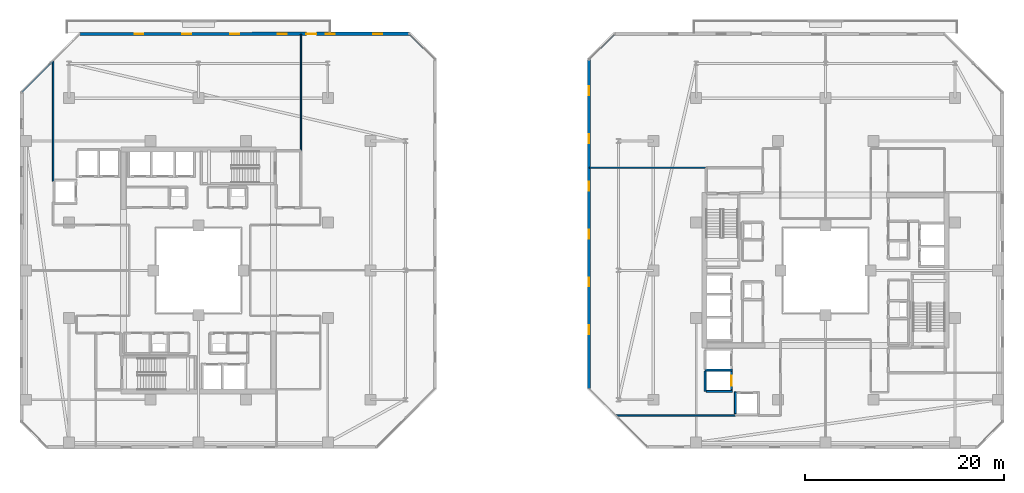
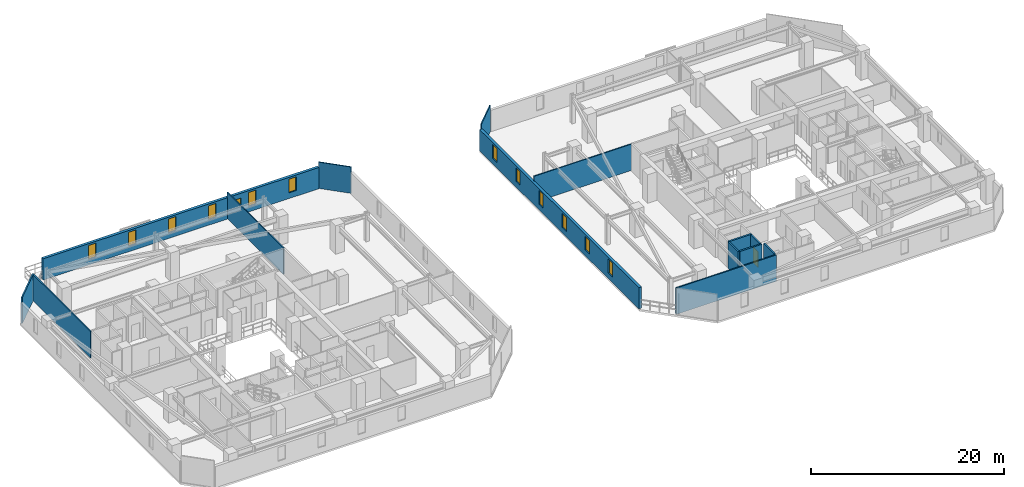
# One storey, part 22 of 32: 14 walls, 12 windows, 2 doors, 14 openings.
"""IFC4 building model written with IfcOpenShell, lengths in metres."""

from ifc_helpers import new_model, si_unit, direction, frame, frame_2d, origin, place, context, subcontext, project, spatial, rectangle, extrude, material, layer, layer_set, type_object, element, fill, save


model = new_model("IFC4")

# Units and contexts
model_context = context("Model", 3, precision=1e-05, world=origin(), true_north=direction((0.0, 1.0)))
body_context = subcontext(model_context, "Body", "Model", "MODEL_VIEW")
ifc_project = project(units=[si_unit("LENGTHUNIT", "METRE"), si_unit("AREAUNIT", "SQUARE_METRE"), si_unit("VOLUMEUNIT", "CUBIC_METRE"), si_unit("PLANEANGLEUNIT", "RADIAN"), si_unit("MASSUNIT", "GRAM", prefix="KILO")], contexts=[model_context])

# Site, building, storey
site_placement = place(None, origin())
site = spatial("IfcSite", under=ifc_project, at=site_placement, CompositionType="ELEMENT")
building_placement = place(site_placement, origin())
building = spatial("IfcBuilding", under=site, at=building_placement, Name="Thornwick Lancets Civic Towers", CompositionType="ELEMENT")
storey_placement = place(building_placement, frame((0.0, 0.0, 178.5)))
storey = spatial("IfcBuildingStorey", under=building, at=storey_placement, Name="L47", CompositionType="ELEMENT", Elevation=178.5)

# Wall, opening, door
ifc_material_1 = material(Name="Concrete blockwork C40/50", Category="masonry")
ifc_layer_1 = layer(ifc_material_1, 0.199951171875, Name="Concrete blockwork C40/50")
ifc_layer_set_1 = layer_set([ifc_layer_1], Name="Concrete blockwork C40/50")
wall_type_1 = type_object("IfcWallType", Name="WALL_COMP_200", PredefinedType="STANDARD", material=ifc_layer_set_1)
wall_1_placement = place(storey_placement, frame((79.050048828125, 15.030029296875, 0.0), z_axis=(0.0, 0.0, 1.0), x_axis=(0.0, 1.0, 0.0)))
wall_1 = element("IfcWall", 1, at=wall_1_placement, inside=storey, type_object=wall_type_1, Name="L47 Hoistway Front Wall PL-BM2", PredefinedType="STANDARD", context=body_context, shape_type="SweptSolid", body=[
    extrude(rectangle(XDim=1.7900390625, YDim=0.199951171875, at=frame_2d((0.89501953125, 0.0))), origin(), (0.0, 0.0, 1.0), 3.340087890625),
])
opening_1_placement = place(wall_1_placement, frame((0.385009765625, 0.0, 0.0)))
opening_1 = element("IfcOpeningElement", 2, at=opening_1_placement, cuts=wall_1, Name="Opening LD-PL-BM2", PredefinedType="OPENING", context=body_context, shape_type="SweptSolid", body=[
    extrude(rectangle(XDim=1.02001953125, YDim=2.06005859375, at=frame_2d((0.510009765625, 1.030029296875))), frame((0.0, 0.10986328125, 0.0), z_axis=(0.0, -1.0, 0.0), x_axis=(1.0, 0.0, 0.0)), (0.0, 0.0, 1.0), 0.219970703125),
])
ifc_material_2 = material(Name="Brushed bronze stainless steel", Category="steel")
door_type_1 = type_object("IfcDoorType", Name="DOOR_LIFT_SLIDE", OperationType="SLIDING_TO_LEFT", PredefinedType="DOOR", material=ifc_material_2)
door_1_placement = place(opening_1_placement, origin())
door_1 = element("IfcDoor", 3, at=door_1_placement, inside=storey, type_object=door_type_1, Name="L47 Sliding Lift Landing Door LD-PL-BM2", OperationType="SLIDING_TO_LEFT", OverallHeight=2.06005859375, OverallWidth=1.02001953125, PredefinedType="DOOR", context=body_context, shape_type="SweptSolid", body=[
    extrude(rectangle(XDim=1.02001953125, YDim=2.06005859375, at=frame_2d((0.510009765625, 1.030029296875))), frame((0.0, 0.02490234375, 0.0), z_axis=(0.0, -1.0, 0.0), x_axis=(1.0, 0.0, 0.0)), (0.0, 0.0, 1.0), 0.050048828125),
])
fill(opening_1, door_1)

# Walls
wall_2_placement = place(storey_placement, frame((76.402099609375, 16.97509765625, 0.0), z_axis=(0.0, 0.0, 1.0), x_axis=(1.0, 0.0, 0.0)))
element("IfcWall", 4, at=wall_2_placement, inside=storey, type_object=wall_type_1, Name="L47 Hoistway Shaft Wall PL-BM1 S", PredefinedType="STANDARD", context=body_context, shape_type="SweptSolid", body=[
    extrude(rectangle(XDim=2.745849609375, YDim=0.199951171875, at=frame_2d((1.373046875, 0.0))), origin(), (0.0, 0.0, 1.0), 3.340087890625),
])
wall_3_placement = place(storey_placement, frame((76.39990234375, 14.85205078125, 0.0), z_axis=(0.0, 0.0, 1.0), x_axis=(0.0, 1.0, 0.0)))
element("IfcWall", 5, at=wall_3_placement, inside=storey, type_object=wall_type_1, Name="L47 Hoistway Shaft Wall PL-BM1 W", PredefinedType="STANDARD", context=body_context, shape_type="SweptSolid", body=[
    extrude(rectangle(XDim=2.015869140625, YDim=0.199951171875, at=frame_2d((1.0078125, 0.0))), origin(), (0.0, 0.0, 1.0), 3.340087890625),
])
wall_4_placement = place(storey_placement, frame((76.511962890625, 14.85009765625, 0.0), z_axis=(0.0, 0.0, 1.0), x_axis=(1.0, 0.0, 0.0)))
element("IfcWall", 6, at=wall_4_placement, inside=storey, type_object=wall_type_1, Name="L47 Hoistway Shaft Wall PL-BM2 S", PredefinedType="STANDARD", context=body_context, shape_type="SweptSolid", body=[
    extrude(rectangle(XDim=2.635986328125, YDim=0.199951171875, at=frame_2d((1.31787109375, 0.0))), origin(), (0.0, 0.0, 1.0), 3.340087890625),
])
wall_5_placement = place(storey_placement, frame((79.449951171875, 12.612060546875, 0.0), z_axis=(0.0, 0.0, 1.0), x_axis=(0.0, 1.0, 0.0)))
element("IfcWall", 7, at=wall_5_placement, inside=storey, type_object=wall_type_1, Name="L47 Hoistway Shaft Wall PL-BM3 W", PredefinedType="STANDARD", context=body_context, shape_type="SweptSolid", body=[
    extrude(rectangle(XDim=2.18603515625, YDim=0.199951171875, at=frame_2d((1.093017578125, 0.0))), origin(), (0.0, 0.0, 1.0), 3.340087890625),
])

# Wall, openings, door, windows
ifc_material_3 = material(Name="Insulated buff terracotta rainscreen on concrete C40/50", Category="masonry")
ifc_layer_2 = layer(ifc_material_3, 0.320068359375, Name="Insulated buff terracotta rainscreen on concrete C40/50")
ifc_layer_set_2 = layer_set([ifc_layer_2], Name="Insulated buff terracotta rainscreen on concrete C40/50")
wall_type_2 = type_object("IfcWallType", Name="WALL_EXT_TERRA_320", PredefinedType="STANDARD", material=ifc_layer_set_2)
wall_6_placement = place(storey_placement, frame((46.681396484375, 50.7646484375, 0.0), z_axis=(0.0, 0.0, 1.0), x_axis=(-0.999999944762, -0.000332378036, 0.0)))
wall_6 = element("IfcWall", 8, at=wall_6_placement, inside=storey, type_object=wall_type_2, Name="L47 Tower A Terracotta Facade Wall E4", PredefinedType="STANDARD", context=body_context, shape_type="SweptSolid", body=[
    extrude(rectangle(XDim=33.0537109375, YDim=0.320068359375, at=frame_2d((16.52685546875, 0.0))), origin(), (0.0, 0.0, 1.0), 2.699951171875),
])
opening_2_placement = place(wall_6_placement, frame((9.326904296875, 0.0, 0.0)))
opening_2 = element("IfcOpeningElement", 9, at=opening_2_placement, cuts=wall_6, Name="Opening D-BL-L47-AN", PredefinedType="OPENING", context=body_context, shape_type="SweptSolid", body=[
    extrude(rectangle(XDim=1.0, YDim=2.080078125, at=frame_2d((0.5, 1.0400390625))), frame((0.0, 0.169921875, 0.0), z_axis=(0.0, -1.0, 0.0), x_axis=(1.0, 0.0, 0.0)), (0.0, 0.0, 1.0), 0.340087890625),
])
opening_3_placement = place(wall_6_placement, frame((2.699951171875, 0.0, 0.719970703125)))
opening_3 = element("IfcOpeningElement", 10, at=opening_3_placement, cuts=wall_6, Name="Opening WL-01", PredefinedType="OPENING", context=body_context, shape_type="SweptSolid", body=[
    extrude(rectangle(XDim=0.89990234375, YDim=1.75, at=frame_2d((0.449951171875, 0.875))), frame((0.0, 0.169921875, 0.0), z_axis=(0.0, -1.0, 0.0), x_axis=(1.0, 0.0, 0.0)), (0.0, 0.0, 1.0), 0.340087890625),
])
opening_4_placement = place(wall_6_placement, frame((7.5, 0.0, 0.719970703125)))
opening_4 = element("IfcOpeningElement", 11, at=opening_4_placement, cuts=wall_6, Name="Opening WL-01", PredefinedType="OPENING", context=body_context, shape_type="SweptSolid", body=[
    extrude(rectangle(XDim=0.89990234375, YDim=1.75, at=frame_2d((0.449951171875, 0.875))), frame((0.0, 0.169921875, 0.0), z_axis=(0.0, -1.0, 0.0), x_axis=(1.0, 0.0, 0.0)), (0.0, 0.0, 1.0), 0.340087890625),
])
opening_5_placement = place(wall_6_placement, frame((12.300048828125, 0.0, 0.719970703125)))
opening_5 = element("IfcOpeningElement", 12, at=opening_5_placement, cuts=wall_6, Name="Opening WL-01", PredefinedType="OPENING", context=body_context, shape_type="SweptSolid", body=[
    extrude(rectangle(XDim=0.89990234375, YDim=1.75, at=frame_2d((0.449951171875, 0.875))), frame((0.0, 0.169921875, 0.0), z_axis=(0.0, -1.0, 0.0), x_axis=(1.0, 0.0, 0.0)), (0.0, 0.0, 1.0), 0.340087890625),
])
opening_6_placement = place(wall_6_placement, frame((17.10009765625, 0.0, 0.719970703125)))
opening_6 = element("IfcOpeningElement", 13, at=opening_6_placement, cuts=wall_6, Name="Opening WL-01", PredefinedType="OPENING", context=body_context, shape_type="SweptSolid", body=[
    extrude(rectangle(XDim=0.89990234375, YDim=1.75, at=frame_2d((0.449951171875, 0.875))), frame((0.0, 0.169921875, 0.0), z_axis=(0.0, -1.0, 0.0), x_axis=(1.0, 0.0, 0.0)), (0.0, 0.0, 1.0), 0.340087890625),
])
opening_7_placement = place(wall_6_placement, frame((21.89990234375, 0.0, 0.719970703125)))
opening_7 = element("IfcOpeningElement", 14, at=opening_7_placement, cuts=wall_6, Name="Opening WL-01", PredefinedType="OPENING", context=body_context, shape_type="SweptSolid", body=[
    extrude(rectangle(XDim=0.89990234375, YDim=1.75, at=frame_2d((0.449951171875, 0.875))), frame((0.0, 0.169921875, 0.0), z_axis=(0.0, -1.0, 0.0), x_axis=(1.0, 0.0, 0.0)), (0.0, 0.0, 1.0), 0.340087890625),
])
opening_8_placement = place(wall_6_placement, frame((26.699951171875, 0.0, 0.719970703125)))
opening_8 = element("IfcOpeningElement", 15, at=opening_8_placement, cuts=wall_6, Name="Opening WL-01", PredefinedType="OPENING", context=body_context, shape_type="SweptSolid", body=[
    extrude(rectangle(XDim=0.89990234375, YDim=1.75, at=frame_2d((0.449951171875, 0.875))), frame((0.0, 0.169921875, 0.0), z_axis=(0.0, -1.0, 0.0), x_axis=(1.0, 0.0, 0.0)), (0.0, 0.0, 1.0), 0.340087890625),
])
ifc_material_4 = material(Name="Thermally broken glazed loggia doorset")
door_type_2 = type_object("IfcDoorType", Name="DOOR_BALC_1000", OperationType="NOTDEFINED", PredefinedType="DOOR", material=ifc_material_4)
door_2_placement = place(opening_2_placement, origin())
door_2 = element("IfcDoor", 16, at=door_2_placement, inside=storey, type_object=door_type_2, Name="L47 Tower A Loggia Balcony Door N", OperationType="SINGLE_SWING_RIGHT", OverallHeight=2.080078125, OverallWidth=1.0, PredefinedType="DOOR", context=body_context, shape_type="SweptSolid", body=[
    extrude(rectangle(XDim=1.0, YDim=2.080078125, at=frame_2d((0.5, 1.0400390625))), frame((0.0, 0.02490234375, 0.0), z_axis=(0.0, -1.0, 0.0), x_axis=(1.0, 0.0, 0.0)), (0.0, 0.0, 1.0), 0.050048828125),
])
fill(opening_2, door_2)
ifc_material_5 = material(Name="Clear low-e double glazing in bronze frame", Category="glass")
window_type = type_object("IfcWindowType", Name="WIN_LANCET_900", PartitioningType="SINGLE_PANEL", PredefinedType="WINDOW", material=ifc_material_5)
window_1_placement = place(opening_3_placement, origin())
window_1 = element("IfcWindow", 17, at=window_1_placement, inside=storey, type_object=window_type, Name="L47 Tower A Staggered Lancet Window E4-1", OverallHeight=1.75, OverallWidth=0.89990234375, PartitioningType="SINGLE_PANEL", PredefinedType="WINDOW", context=body_context, shape_type="SweptSolid", body=[
    extrude(rectangle(XDim=0.89990234375, YDim=1.75, at=frame_2d((0.449951171875, 0.875))), frame((0.0, 0.030029296875, 0.0), z_axis=(0.0, -1.0, 0.0), x_axis=(1.0, 0.0, 0.0)), (0.0, 0.0, 1.0), 0.06005859375),
])
fill(opening_3, window_1)
window_2_placement = place(opening_4_placement, origin())
window_2 = element("IfcWindow", 18, at=window_2_placement, inside=storey, type_object=window_type, Name="L47 Tower A Staggered Lancet Window E4-2", OverallHeight=1.75, OverallWidth=0.89990234375, PartitioningType="SINGLE_PANEL", PredefinedType="WINDOW", context=body_context, shape_type="SweptSolid", body=[
    extrude(rectangle(XDim=0.89990234375, YDim=1.75, at=frame_2d((0.449951171875, 0.875))), frame((0.0, 0.030029296875, 0.0), z_axis=(0.0, -1.0, 0.0), x_axis=(1.0, 0.0, 0.0)), (0.0, 0.0, 1.0), 0.06005859375),
])
fill(opening_4, window_2)
window_3_placement = place(opening_5_placement, origin())
window_3 = element("IfcWindow", 19, at=window_3_placement, inside=storey, type_object=window_type, Name="L47 Tower A Staggered Lancet Window E4-3", OverallHeight=1.75, OverallWidth=0.89990234375, PartitioningType="SINGLE_PANEL", PredefinedType="WINDOW", context=body_context, shape_type="SweptSolid", body=[
    extrude(rectangle(XDim=0.89990234375, YDim=1.75, at=frame_2d((0.449951171875, 0.875))), frame((0.0, 0.030029296875, 0.0), z_axis=(0.0, -1.0, 0.0), x_axis=(1.0, 0.0, 0.0)), (0.0, 0.0, 1.0), 0.06005859375),
])
fill(opening_5, window_3)
window_4_placement = place(opening_6_placement, origin())
window_4 = element("IfcWindow", 20, at=window_4_placement, inside=storey, type_object=window_type, Name="L47 Tower A Staggered Lancet Window E4-4", OverallHeight=1.75, OverallWidth=0.89990234375, PartitioningType="SINGLE_PANEL", PredefinedType="WINDOW", context=body_context, shape_type="SweptSolid", body=[
    extrude(rectangle(XDim=0.89990234375, YDim=1.75, at=frame_2d((0.449951171875, 0.875))), frame((0.0, 0.030029296875, 0.0), z_axis=(0.0, -1.0, 0.0), x_axis=(1.0, 0.0, 0.0)), (0.0, 0.0, 1.0), 0.06005859375),
])
fill(opening_6, window_4)
window_5_placement = place(opening_7_placement, origin())
window_5 = element("IfcWindow", 21, at=window_5_placement, inside=storey, type_object=window_type, Name="L47 Tower A Staggered Lancet Window E4-5", OverallHeight=1.75, OverallWidth=0.89990234375, PartitioningType="SINGLE_PANEL", PredefinedType="WINDOW", context=body_context, shape_type="SweptSolid", body=[
    extrude(rectangle(XDim=0.89990234375, YDim=1.75, at=frame_2d((0.449951171875, 0.875))), frame((0.0, 0.030029296875, 0.0), z_axis=(0.0, -1.0, 0.0), x_axis=(1.0, 0.0, 0.0)), (0.0, 0.0, 1.0), 0.06005859375),
])
fill(opening_7, window_5)
window_6_placement = place(opening_8_placement, origin())
window_6 = element("IfcWindow", 22, at=window_6_placement, inside=storey, type_object=window_type, Name="L47 Tower A Staggered Lancet Window E4-6", OverallHeight=1.75, OverallWidth=0.89990234375, PartitioningType="SINGLE_PANEL", PredefinedType="WINDOW", context=body_context, shape_type="SweptSolid", body=[
    extrude(rectangle(XDim=0.89990234375, YDim=1.75, at=frame_2d((0.449951171875, 0.875))), frame((0.0, 0.030029296875, 0.0), z_axis=(0.0, -1.0, 0.0), x_axis=(1.0, 0.0, 0.0)), (0.0, 0.0, 1.0), 0.06005859375),
])
fill(opening_8, window_6)

# Wall, openings, windows
wall_7_placement = place(storey_placement, frame((64.7353515625, 48.181396484375, 0.0), z_axis=(0.0, 0.0, 1.0), x_axis=(0.000332378036, -0.999999944762, 0.0)))
wall_7 = element("IfcWall", 23, at=wall_7_placement, inside=storey, type_object=wall_type_2, Name="L47 Tower B Terracotta Facade Wall E6", PredefinedType="STANDARD", context=body_context, shape_type="SweptSolid", body=[
    extrude(rectangle(XDim=33.0537109375, YDim=0.320068359375, at=frame_2d((16.52685546875, 0.0))), origin(), (0.0, 0.0, 1.0), 2.699951171875),
])
opening_9_placement = place(wall_7_placement, frame((2.699951171875, 0.0, 0.719970703125)))
opening_9 = element("IfcOpeningElement", 24, at=opening_9_placement, cuts=wall_7, Name="Opening WL-01", PredefinedType="OPENING", context=body_context, shape_type="SweptSolid", body=[
    extrude(rectangle(XDim=0.89990234375, YDim=1.75, at=frame_2d((0.449951171875, 0.875))), frame((0.0, 0.169921875, 0.0), z_axis=(0.0, -1.0, 0.0), x_axis=(1.0, 0.0, 0.0)), (0.0, 0.0, 1.0), 0.340087890625),
])
opening_10_placement = place(wall_7_placement, frame((7.5, 0.0, 0.719970703125)))
opening_10 = element("IfcOpeningElement", 25, at=opening_10_placement, cuts=wall_7, Name="Opening WL-01", PredefinedType="OPENING", context=body_context, shape_type="SweptSolid", body=[
    extrude(rectangle(XDim=0.89990234375, YDim=1.75, at=frame_2d((0.449951171875, 0.875))), frame((0.0, 0.169921875, 0.0), z_axis=(0.0, -1.0, 0.0), x_axis=(1.0, 0.0, 0.0)), (0.0, 0.0, 1.0), 0.340087890625),
])
opening_11_placement = place(wall_7_placement, frame((12.300048828125, 0.0, 0.719970703125)))
opening_11 = element("IfcOpeningElement", 26, at=opening_11_placement, cuts=wall_7, Name="Opening WL-01", PredefinedType="OPENING", context=body_context, shape_type="SweptSolid", body=[
    extrude(rectangle(XDim=0.89990234375, YDim=1.75, at=frame_2d((0.449951171875, 0.875))), frame((0.0, 0.169921875, 0.0), z_axis=(0.0, -1.0, 0.0), x_axis=(1.0, 0.0, 0.0)), (0.0, 0.0, 1.0), 0.340087890625),
])
opening_12_placement = place(wall_7_placement, frame((17.10009765625, 0.0, 0.719970703125)))
opening_12 = element("IfcOpeningElement", 27, at=opening_12_placement, cuts=wall_7, Name="Opening WL-01", PredefinedType="OPENING", context=body_context, shape_type="SweptSolid", body=[
    extrude(rectangle(XDim=0.89990234375, YDim=1.75, at=frame_2d((0.449951171875, 0.875))), frame((0.0, 0.169921875, 0.0), z_axis=(0.0, -1.0, 0.0), x_axis=(1.0, 0.0, 0.0)), (0.0, 0.0, 1.0), 0.340087890625),
])
opening_13_placement = place(wall_7_placement, frame((21.89990234375, 0.0, 0.719970703125)))
opening_13 = element("IfcOpeningElement", 28, at=opening_13_placement, cuts=wall_7, Name="Opening WL-01", PredefinedType="OPENING", context=body_context, shape_type="SweptSolid", body=[
    extrude(rectangle(XDim=0.89990234375, YDim=1.75, at=frame_2d((0.449951171875, 0.875))), frame((0.0, 0.169921875, 0.0), z_axis=(0.0, -1.0, 0.0), x_axis=(1.0, 0.0, 0.0)), (0.0, 0.0, 1.0), 0.340087890625),
])
opening_14_placement = place(wall_7_placement, frame((26.699951171875, 0.0, 0.719970703125)))
opening_14 = element("IfcOpeningElement", 29, at=opening_14_placement, cuts=wall_7, Name="Opening WL-01", PredefinedType="OPENING", context=body_context, shape_type="SweptSolid", body=[
    extrude(rectangle(XDim=0.89990234375, YDim=1.75, at=frame_2d((0.449951171875, 0.875))), frame((0.0, 0.169921875, 0.0), z_axis=(0.0, -1.0, 0.0), x_axis=(1.0, 0.0, 0.0)), (0.0, 0.0, 1.0), 0.340087890625),
])
window_7_placement = place(opening_9_placement, origin())
window_7 = element("IfcWindow", 30, at=window_7_placement, inside=storey, type_object=window_type, Name="L47 Tower B Staggered Lancet Window E6-1", OverallHeight=1.75, OverallWidth=0.89990234375, PartitioningType="SINGLE_PANEL", PredefinedType="WINDOW", context=body_context, shape_type="SweptSolid", body=[
    extrude(rectangle(XDim=0.89990234375, YDim=1.75, at=frame_2d((0.449951171875, 0.875))), frame((0.0, 0.030029296875, 0.0), z_axis=(0.0, -1.0, 0.0), x_axis=(1.0, 0.0, 0.0)), (0.0, 0.0, 1.0), 0.06005859375),
])
fill(opening_9, window_7)
window_8_placement = place(opening_10_placement, origin())
window_8 = element("IfcWindow", 31, at=window_8_placement, inside=storey, type_object=window_type, Name="L47 Tower B Staggered Lancet Window E6-2", OverallHeight=1.75, OverallWidth=0.89990234375, PartitioningType="SINGLE_PANEL", PredefinedType="WINDOW", context=body_context, shape_type="SweptSolid", body=[
    extrude(rectangle(XDim=0.89990234375, YDim=1.75, at=frame_2d((0.449951171875, 0.875))), frame((0.0, 0.030029296875, 0.0), z_axis=(0.0, -1.0, 0.0), x_axis=(1.0, 0.0, 0.0)), (0.0, 0.0, 1.0), 0.06005859375),
])
fill(opening_10, window_8)
window_9_placement = place(opening_11_placement, origin())
window_9 = element("IfcWindow", 32, at=window_9_placement, inside=storey, type_object=window_type, Name="L47 Tower B Staggered Lancet Window E6-3", OverallHeight=1.75, OverallWidth=0.89990234375, PartitioningType="SINGLE_PANEL", PredefinedType="WINDOW", context=body_context, shape_type="SweptSolid", body=[
    extrude(rectangle(XDim=0.89990234375, YDim=1.75, at=frame_2d((0.449951171875, 0.875))), frame((0.0, 0.030029296875, 0.0), z_axis=(0.0, -1.0, 0.0), x_axis=(1.0, 0.0, 0.0)), (0.0, 0.0, 1.0), 0.06005859375),
])
fill(opening_11, window_9)
window_10_placement = place(opening_12_placement, origin())
window_10 = element("IfcWindow", 33, at=window_10_placement, inside=storey, type_object=window_type, Name="L47 Tower B Staggered Lancet Window E6-4", OverallHeight=1.75, OverallWidth=0.89990234375, PartitioningType="SINGLE_PANEL", PredefinedType="WINDOW", context=body_context, shape_type="SweptSolid", body=[
    extrude(rectangle(XDim=0.89990234375, YDim=1.75, at=frame_2d((0.449951171875, 0.875))), frame((0.0, 0.030029296875, 0.0), z_axis=(0.0, -1.0, 0.0), x_axis=(1.0, 0.0, 0.0)), (0.0, 0.0, 1.0), 0.06005859375),
])
fill(opening_12, window_10)
window_11_placement = place(opening_13_placement, origin())
window_11 = element("IfcWindow", 34, at=window_11_placement, inside=storey, type_object=window_type, Name="L47 Tower B Staggered Lancet Window E6-5", OverallHeight=1.75, OverallWidth=0.89990234375, PartitioningType="SINGLE_PANEL", PredefinedType="WINDOW", context=body_context, shape_type="SweptSolid", body=[
    extrude(rectangle(XDim=0.89990234375, YDim=1.75, at=frame_2d((0.449951171875, 0.875))), frame((0.0, 0.030029296875, 0.0), z_axis=(0.0, -1.0, 0.0), x_axis=(1.0, 0.0, 0.0)), (0.0, 0.0, 1.0), 0.06005859375),
])
fill(opening_13, window_11)
window_12_placement = place(opening_14_placement, origin())
window_12 = element("IfcWindow", 35, at=window_12_placement, inside=storey, type_object=window_type, Name="L47 Tower B Staggered Lancet Window E6-6", OverallHeight=1.75, OverallWidth=0.89990234375, PartitioningType="SINGLE_PANEL", PredefinedType="WINDOW", context=body_context, shape_type="SweptSolid", body=[
    extrude(rectangle(XDim=0.89990234375, YDim=1.75, at=frame_2d((0.449951171875, 0.875))), frame((0.0, 0.030029296875, 0.0), z_axis=(0.0, -1.0, 0.0), x_axis=(1.0, 0.0, 0.0)), (0.0, 0.0, 1.0), 0.06005859375),
])
fill(opening_14, window_12)

# Walls
ifc_material_6 = material(Name="Acoustic gypsum board partition")
ifc_layer_3 = layer(ifc_material_6, 0.1201171875, Name="Acoustic gypsum board partition")
ifc_layer_set_3 = layer_set([ifc_layer_3], Name="Acoustic gypsum board partition")
wall_type_3 = type_object("IfcWallType", Name="WALL_PART_120", PredefinedType="PARTITIONING", material=ifc_layer_set_3)
wall_8_placement = place(storey_placement, frame((35.800048828125, 39.0, 0.0), z_axis=(0.0, 0.0, 1.0), x_axis=(0.0, 1.0, 0.0)))
element("IfcWall", 36, at=wall_8_placement, inside=storey, type_object=wall_type_3, Name="L47 Partition L47-A-E3 E6", PredefinedType="PARTITIONING", context=body_context, shape_type="SweptSolid", body=[
    extrude(rectangle(XDim=11.719970703125, YDim=0.1201171875, at=frame_2d((5.85986328125, 0.0))), origin(), (0.0, 0.0, 1.0), 3.340087890625),
])
wall_9_placement = place(storey_placement, frame((46.725341796875, 50.719970703125, 0.0), z_axis=(0.0, 0.0, 1.0), x_axis=(0.707106781187, -0.707106781187, 0.0)))
element("IfcWall", 37, at=wall_9_placement, inside=storey, type_object=wall_type_3, Name="L47 Partition L47-A-E3 E8", PredefinedType="PARTITIONING", context=body_context, shape_type="SweptSolid", body=[
    extrude(rectangle(XDim=3.52783203125, YDim=0.1201171875, at=frame_2d((1.763916015625, 0.0))), origin(), (0.0, 0.0, 1.0), 3.340087890625),
])
wall_10_placement = place(storey_placement, frame((76.5, 37.300048828125, 0.0), z_axis=(0.0, 0.0, 1.0), x_axis=(-1.0, 0.0, 0.0)))
element("IfcWall", 38, at=wall_10_placement, inside=storey, type_object=wall_type_3, Name="L47 Partition L47-B-E3 E6", PredefinedType="PARTITIONING", context=body_context, shape_type="SweptSolid", body=[
    extrude(rectangle(XDim=11.719970703125, YDim=0.1201171875, at=frame_2d((5.85986328125, 0.0))), origin(), (0.0, 0.0, 1.0), 3.340087890625),
])
wall_11_placement = place(storey_placement, frame((64.780029296875, 48.225341796875, 0.0), z_axis=(0.0, 0.0, 1.0), x_axis=(0.707106781187, 0.707106781187, 0.0)))
element("IfcWall", 39, at=wall_11_placement, inside=storey, type_object=wall_type_3, Name="L47 Partition L47-B-E3 E8", PredefinedType="PARTITIONING", context=body_context, shape_type="SweptSolid", body=[
    extrude(rectangle(XDim=3.52783203125, YDim=0.1201171875, at=frame_2d((1.763916015625, 0.0))), origin(), (0.0, 0.0, 1.0), 3.340087890625),
])
ifc_material_7 = material(Name="Twin-stud acoustic gypsum board")
ifc_layer_4 = layer(ifc_material_7, 0.14990234375, Name="Twin-stud acoustic gypsum board")
ifc_layer_set_4 = layer_set([ifc_layer_4], Name="Twin-stud acoustic gypsum board")
wall_type_4 = type_object("IfcWallType", Name="WALL_PART_150", PredefinedType="PARTITIONING", material=ifc_layer_set_4)
wall_12_placement = place(storey_placement, frame((7.780029296875, 44.90234375, 0.0), z_axis=(0.0, 0.0, 1.0), x_axis=(0.707079114978, 0.707134446312, 0.0)))
element("IfcWall", 40, at=wall_12_placement, inside=storey, type_object=wall_type_4, Name="L47 Partition L47-A-W2 E5", PredefinedType="PARTITIONING", context=body_context, shape_type="SweptSolid", body=[
    extrude(rectangle(XDim=4.412353515625, YDim=0.14990234375, at=frame_2d((2.2060546875, 0.0))), origin(), (0.0, 0.0, 1.0), 3.340087890625),
])
wall_13_placement = place(storey_placement, frame((10.89990234375, 48.0224609375, 0.0), z_axis=(0.0, 0.0, 1.0), x_axis=(0.0, -1.0, 0.0)))
element("IfcWall", 41, at=wall_13_placement, inside=storey, type_object=wall_type_4, Name="L47 Partition L47-A-W2 E6", PredefinedType="PARTITIONING", context=body_context, shape_type="SweptSolid", body=[
    extrude(rectangle(XDim=12.08447265625, YDim=0.14990234375, at=frame_2d((6.042236328125, 0.0))), origin(), (0.0, 0.0, 1.0), 3.340087890625),
])
wall_14_placement = place(storey_placement, frame((67.4775390625, 12.39990234375, 0.0), z_axis=(0.0, 0.0, 1.0), x_axis=(1.0, 0.0, 0.0)))
element("IfcWall", 42, at=wall_14_placement, inside=storey, type_object=wall_type_4, Name="L47 Partition L47-B-W2 E6", PredefinedType="PARTITIONING", context=body_context, shape_type="SweptSolid", body=[
    extrude(rectangle(XDim=11.974365234375, YDim=0.14990234375, at=frame_2d((5.9873046875, 0.0))), origin(), (0.0, 0.0, 1.0), 3.340087890625),
])

save(model, "model.ifc")
